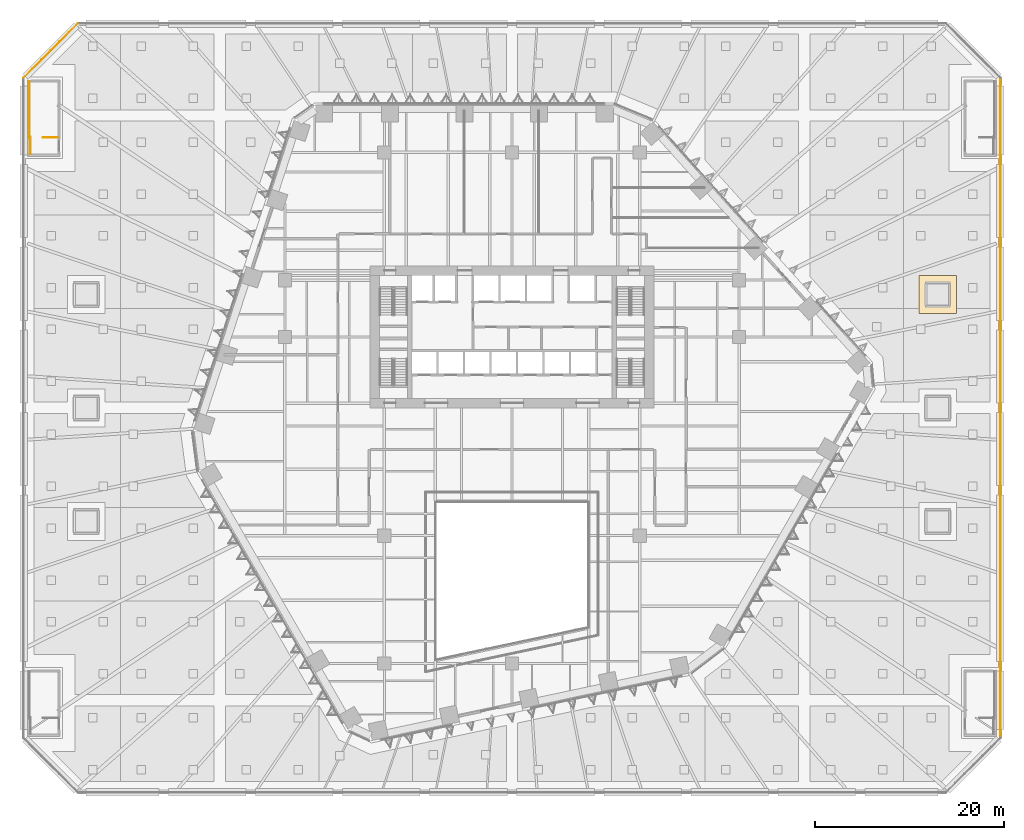
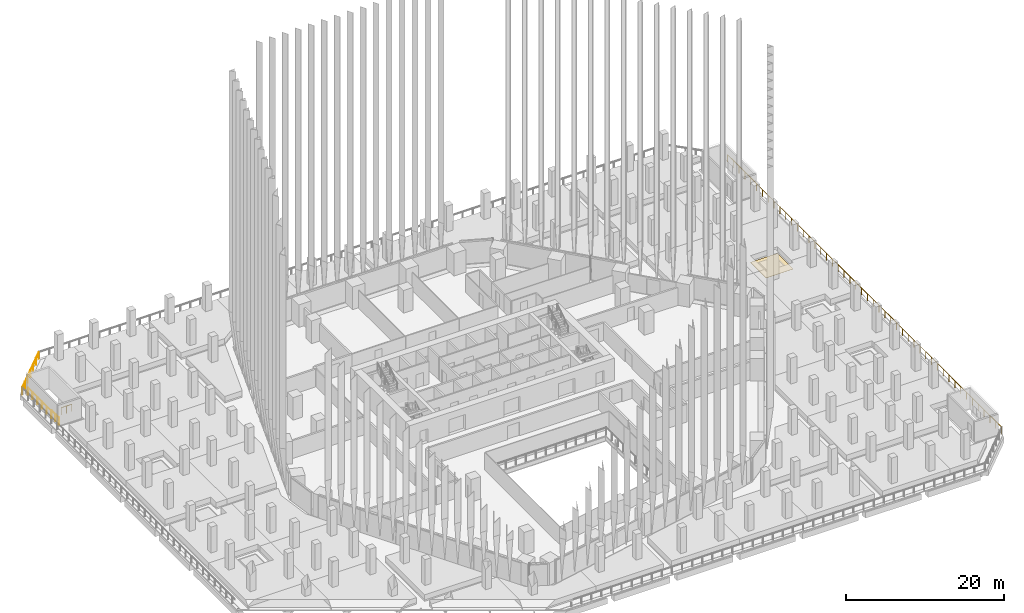
# One storey, part 43 of 51: 5 railings, 1 covering.
"""IFC4 building model written with IfcOpenShell, lengths in metres."""

from ifc_helpers import new_model, si_unit, direction, frame, origin, origin_2d, place, context, subcontext, project, spatial, polyline, circle, outline, extrude, material, layer, layer_set, type_object, element, save


model = new_model("IFC4")

# Units and contexts
model_context = context("Model", 3, precision=1e-05, world=origin(), true_north=direction((0.0, 1.0)))
body_context = subcontext(model_context, "Body", "Model", "MODEL_VIEW")
ifc_project = project(units=[si_unit("LENGTHUNIT", "METRE"), si_unit("AREAUNIT", "SQUARE_METRE"), si_unit("VOLUMEUNIT", "CUBIC_METRE"), si_unit("PLANEANGLEUNIT", "RADIAN"), si_unit("MASSUNIT", "GRAM", prefix="KILO")], contexts=[model_context])

# Site, building, storey
site_placement = place(None, origin())
site = spatial("IfcSite", under=ifc_project, at=site_placement, CompositionType="ELEMENT")
building_placement = place(site_placement, origin())
building = spatial("IfcBuilding", under=site, at=building_placement, Name="Isthmus Gate Tower", CompositionType="ELEMENT")
storey_placement = place(building_placement, frame((0.0, 0.0, 36.0)))
storey = spatial("IfcBuildingStorey", under=building, at=storey_placement, Name="L06", CompositionType="ELEMENT", Elevation=36.0)

# Railings
ifc_material_1 = material(Name="Stainless steel posts and toughened laminated glass", Category="steel")
railing_type_1 = type_object("IfcRailingType", Name="GUARD 1100 TERRACE GLASS", PredefinedType="GUARDRAIL", material=ifc_material_1)
railing_1_placement = place(storey_placement, frame((-51.607666015625, 34.8974609375, 0.0)))
element("IfcRailing", 1, at=railing_1_placement, inside=storey, type_object=railing_type_1, Name="TERRACE GUARD", PredefinedType="GUARDRAIL", context=body_context, shape_type="SweptSolid", body=[
    extrude(circle(Radius=0.02490234375, at=origin_2d()), frame((0.0, 0.0, 1.0751953125), z_axis=(0.707106781187, 0.707106781187, 0.0), x_axis=(-0.707106781187, 0.707106781187, 0.0)), (0.0, 0.0, 1.0), 8.075439453125),
    extrude(circle(Radius=0.02490234375, at=origin_2d()), origin(), (0.0, 0.0, 1.0), 1.050048828125),
    extrude(circle(Radius=0.02490234375, at=origin_2d()), frame((0.95166015625, 0.95166015625, 0.0)), (0.0, 0.0, 1.0), 1.050048828125),
    extrude(circle(Radius=0.02490234375, at=origin_2d()), frame((1.9033203125, 1.9033203125, 0.0)), (0.0, 0.0, 1.0), 1.050048828125),
    extrude(circle(Radius=0.02490234375, at=origin_2d()), frame((2.85498046875, 2.85498046875, 0.0)), (0.0, 0.0, 1.0), 1.050048828125),
    extrude(circle(Radius=0.02490234375, at=origin_2d()), frame((3.806884765625, 3.806884765625, 0.0)), (0.0, 0.0, 1.0), 1.050048828125),
    extrude(circle(Radius=0.02490234375, at=origin_2d()), frame((4.758544921875, 4.758544921875, 0.0)), (0.0, 0.0, 1.0), 1.050048828125),
    extrude(circle(Radius=0.02490234375, at=origin_2d()), frame((5.710205078125, 5.710205078125, 0.0)), (0.0, 0.0, 1.0), 1.050048828125),
])
railing_2_placement = place(storey_placement, frame((51.64990234375, 34.794921875, 0.0)))
element("IfcRailing", 2, at=railing_2_placement, inside=storey, type_object=railing_type_1, Name="TERRACE GUARD", PredefinedType="GUARDRAIL", context=body_context, shape_type="SweptSolid", body=[
    extrude(circle(Radius=0.02490234375, at=origin_2d()), frame((0.0, 0.0, 1.0751953125), z_axis=(0.0, -1.0, 0.0), x_axis=(1.0, 0.0, 0.0)), (0.0, 0.0, 1.0), 69.58984375),
    extrude(circle(Radius=0.02490234375, at=origin_2d()), origin(), (0.0, 0.0, 1.0), 1.050048828125),
    extrude(circle(Radius=0.02490234375, at=origin_2d()), frame((0.0, -1.480712890625, 0.0)), (0.0, 0.0, 1.0), 1.050048828125),
    extrude(circle(Radius=0.02490234375, at=origin_2d()), frame((0.0, -2.961181640625, 0.0)), (0.0, 0.0, 1.0), 1.050048828125),
    extrude(circle(Radius=0.02490234375, at=origin_2d()), frame((0.0, -4.44189453125, 0.0)), (0.0, 0.0, 1.0), 1.050048828125),
    extrude(circle(Radius=0.02490234375, at=origin_2d()), frame((0.0, -5.922607421875, 0.0)), (0.0, 0.0, 1.0), 1.050048828125),
    extrude(circle(Radius=0.02490234375, at=origin_2d()), frame((0.0, -7.403076171875, 0.0)), (0.0, 0.0, 1.0), 1.050048828125),
    extrude(circle(Radius=0.02490234375, at=origin_2d()), frame((0.0, -8.8837890625, 0.0)), (0.0, 0.0, 1.0), 1.050048828125),
    extrude(circle(Radius=0.02490234375, at=origin_2d()), frame((0.0, -10.364501953125, 0.0)), (0.0, 0.0, 1.0), 1.050048828125),
    extrude(circle(Radius=0.02490234375, at=origin_2d()), frame((0.0, -11.844970703125, 0.0)), (0.0, 0.0, 1.0), 1.050048828125),
    extrude(circle(Radius=0.02490234375, at=origin_2d()), frame((0.0, -13.32568359375, 0.0)), (0.0, 0.0, 1.0), 1.050048828125),
    extrude(circle(Radius=0.02490234375, at=origin_2d()), frame((0.0, -14.806396484375, 0.0)), (0.0, 0.0, 1.0), 1.050048828125),
    extrude(circle(Radius=0.02490234375, at=origin_2d()), frame((0.0, -16.286865234375, 0.0)), (0.0, 0.0, 1.0), 1.050048828125),
    extrude(circle(Radius=0.02490234375, at=origin_2d()), frame((0.0, -17.767578125, 0.0)), (0.0, 0.0, 1.0), 1.050048828125),
    extrude(circle(Radius=0.02490234375, at=origin_2d()), frame((0.0, -19.248291015625, 0.0)), (0.0, 0.0, 1.0), 1.050048828125),
    extrude(circle(Radius=0.02490234375, at=origin_2d()), frame((0.0, -20.72900390625, 0.0)), (0.0, 0.0, 1.0), 1.050048828125),
    extrude(circle(Radius=0.02490234375, at=origin_2d()), frame((0.0, -22.20947265625, 0.0)), (0.0, 0.0, 1.0), 1.050048828125),
    extrude(circle(Radius=0.02490234375, at=origin_2d()), frame((0.0, -23.690185546875, 0.0)), (0.0, 0.0, 1.0), 1.050048828125),
    extrude(circle(Radius=0.02490234375, at=origin_2d()), frame((0.0, -25.1708984375, 0.0)), (0.0, 0.0, 1.0), 1.050048828125),
    extrude(circle(Radius=0.02490234375, at=origin_2d()), frame((0.0, -26.6513671875, 0.0)), (0.0, 0.0, 1.0), 1.050048828125),
    extrude(circle(Radius=0.02490234375, at=origin_2d()), frame((0.0, -28.132080078125, 0.0)), (0.0, 0.0, 1.0), 1.050048828125),
    extrude(circle(Radius=0.02490234375, at=origin_2d()), frame((0.0, -29.61279296875, 0.0)), (0.0, 0.0, 1.0), 1.050048828125),
    extrude(circle(Radius=0.02490234375, at=origin_2d()), frame((0.0, -31.09326171875, 0.0)), (0.0, 0.0, 1.0), 1.050048828125),
    extrude(circle(Radius=0.02490234375, at=origin_2d()), frame((0.0, -32.573974609375, 0.0)), (0.0, 0.0, 1.0), 1.050048828125),
    extrude(circle(Radius=0.02490234375, at=origin_2d()), frame((0.0, -34.0546875, 0.0)), (0.0, 0.0, 1.0), 1.050048828125),
    extrude(circle(Radius=0.02490234375, at=origin_2d()), frame((0.0, -35.53515625, 0.0)), (0.0, 0.0, 1.0), 1.050048828125),
    extrude(circle(Radius=0.02490234375, at=origin_2d()), frame((0.0, -37.015869140625, 0.0)), (0.0, 0.0, 1.0), 1.050048828125),
    extrude(circle(Radius=0.02490234375, at=origin_2d()), frame((0.0, -38.49658203125, 0.0)), (0.0, 0.0, 1.0), 1.050048828125),
    extrude(circle(Radius=0.02490234375, at=origin_2d()), frame((0.0, -39.97705078125, 0.0)), (0.0, 0.0, 1.0), 1.050048828125),
    extrude(circle(Radius=0.02490234375, at=origin_2d()), frame((0.0, -41.457763671875, 0.0)), (0.0, 0.0, 1.0), 1.050048828125),
    extrude(circle(Radius=0.02490234375, at=origin_2d()), frame((0.0, -42.9384765625, 0.0)), (0.0, 0.0, 1.0), 1.050048828125),
    extrude(circle(Radius=0.02490234375, at=origin_2d()), frame((0.0, -44.4189453125, 0.0)), (0.0, 0.0, 1.0), 1.050048828125),
    extrude(circle(Radius=0.02490234375, at=origin_2d()), frame((0.0, -45.899658203125, 0.0)), (0.0, 0.0, 1.0), 1.050048828125),
    extrude(circle(Radius=0.02490234375, at=origin_2d()), frame((0.0, -47.38037109375, 0.0)), (0.0, 0.0, 1.0), 1.050048828125),
    extrude(circle(Radius=0.02490234375, at=origin_2d()), frame((0.0, -48.86083984375, 0.0)), (0.0, 0.0, 1.0), 1.050048828125),
    extrude(circle(Radius=0.02490234375, at=origin_2d()), frame((0.0, -50.341552734375, 0.0)), (0.0, 0.0, 1.0), 1.050048828125),
    extrude(circle(Radius=0.02490234375, at=origin_2d()), frame((0.0, -51.822265625, 0.0)), (0.0, 0.0, 1.0), 1.050048828125),
    extrude(circle(Radius=0.02490234375, at=origin_2d()), frame((0.0, -53.302978515625, 0.0)), (0.0, 0.0, 1.0), 1.050048828125),
    extrude(circle(Radius=0.02490234375, at=origin_2d()), frame((0.0, -54.783447265625, 0.0)), (0.0, 0.0, 1.0), 1.050048828125),
    extrude(circle(Radius=0.02490234375, at=origin_2d()), frame((0.0, -56.26416015625, 0.0)), (0.0, 0.0, 1.0), 1.050048828125),
    extrude(circle(Radius=0.02490234375, at=origin_2d()), frame((0.0, -57.744873046875, 0.0)), (0.0, 0.0, 1.0), 1.050048828125),
    extrude(circle(Radius=0.02490234375, at=origin_2d()), frame((0.0, -59.225341796875, 0.0)), (0.0, 0.0, 1.0), 1.050048828125),
    extrude(circle(Radius=0.02490234375, at=origin_2d()), frame((0.0, -60.7060546875, 0.0)), (0.0, 0.0, 1.0), 1.050048828125),
    extrude(circle(Radius=0.02490234375, at=origin_2d()), frame((0.0, -62.186767578125, 0.0)), (0.0, 0.0, 1.0), 1.050048828125),
    extrude(circle(Radius=0.02490234375, at=origin_2d()), frame((0.0, -63.667236328125, 0.0)), (0.0, 0.0, 1.0), 1.050048828125),
    extrude(circle(Radius=0.02490234375, at=origin_2d()), frame((0.0, -65.14794921875, 0.0)), (0.0, 0.0, 1.0), 1.050048828125),
    extrude(circle(Radius=0.02490234375, at=origin_2d()), frame((0.0, -66.628662109375, 0.0)), (0.0, 0.0, 1.0), 1.050048828125),
    extrude(circle(Radius=0.02490234375, at=origin_2d()), frame((0.0, -68.109130859375, 0.0)), (0.0, 0.0, 1.0), 1.050048828125),
    extrude(circle(Radius=0.02490234375, at=origin_2d()), frame((0.0, -69.58984375, 0.0)), (0.0, 0.0, 1.0), 1.050048828125),
])
ifc_material_2 = material(Name="Painted steel balusters with timber handrail", Category="steel")
railing_type_2 = type_object("IfcRailingType", Name="Podium stair guard 1100", PredefinedType="GUARDRAIL", material=ifc_material_2)
railing_3_placement = place(storey_placement, frame((-48.0, 28.574951171875, 0.0)))
element("IfcRailing", 3, at=railing_3_placement, inside=storey, type_object=railing_type_2, Name="L06 ST6 top well guard 1", PredefinedType="GUARDRAIL", context=body_context, shape_type="SweptSolid", body=[
    extrude(circle(Radius=0.02392578125, at=origin_2d()), frame((0.0, 0.0, 1.076171875), z_axis=(-1.0, 0.0, 0.0), x_axis=(0.0, -1.0, 0.0)), (0.0, 0.0, 1.0), 1.550048828125),
    extrude(circle(Radius=0.02099609375, at=origin_2d()), origin(), (0.0, 0.0, 1.0), 1.052001953125),
    extrude(circle(Radius=0.02099609375, at=origin_2d()), frame((-0.77490234375, 0.0, 0.0)), (0.0, 0.0, 1.0), 1.052001953125),
    extrude(circle(Radius=0.02099609375, at=origin_2d()), frame((-1.550048828125, 0.0, 0.0)), (0.0, 0.0, 1.0), 1.052001953125),
])
railing_4_placement = place(storey_placement, frame((-51.0, 28.52490234375, 0.0)))
element("IfcRailing", 4, at=railing_4_placement, inside=storey, type_object=railing_type_2, Name="L06 ST6 top well guard 2", PredefinedType="GUARDRAIL", context=body_context, shape_type="SweptSolid", body=[
    extrude(circle(Radius=0.02392578125, at=origin_2d()), frame((0.0, 0.0, 1.076171875), z_axis=(0.0, 1.0, 0.0), x_axis=(-1.0, 0.0, 0.0)), (0.0, 0.0, 1.0), 6.0),
    extrude(circle(Radius=0.02099609375, at=origin_2d()), origin(), (0.0, 0.0, 1.0), 1.052001953125),
    extrude(circle(Radius=0.02099609375, at=origin_2d()), frame((0.0, 1.199951171875, 0.0)), (0.0, 0.0, 1.0), 1.052001953125),
    extrude(circle(Radius=0.02099609375, at=origin_2d()), frame((0.0, 2.39990234375, 0.0)), (0.0, 0.0, 1.0), 1.052001953125),
    extrude(circle(Radius=0.02099609375, at=origin_2d()), frame((0.0, 3.60009765625, 0.0)), (0.0, 0.0, 1.0), 1.052001953125),
    extrude(circle(Radius=0.02099609375, at=origin_2d()), frame((0.0, 4.800048828125, 0.0)), (0.0, 0.0, 1.0), 1.052001953125),
    extrude(circle(Radius=0.02099609375, at=origin_2d()), frame((0.0, 6.0, 0.0)), (0.0, 0.0, 1.0), 1.052001953125),
])
railing_5_placement = place(storey_placement, frame((-50.89990234375, 26.824951171875, 0.0)))
element("IfcRailing", 5, at=railing_5_placement, inside=storey, type_object=railing_type_2, Name="L06 ST6 top well guard 3", PredefinedType="GUARDRAIL", context=body_context, shape_type="SweptSolid", body=[
    extrude(circle(Radius=0.02392578125, at=origin_2d()), frame((0.0, 0.0, 1.076171875), z_axis=(0.0, 1.0, 0.0), x_axis=(-1.0, 0.0, 0.0)), (0.0, 0.0, 1.0), 1.800048828125),
    extrude(circle(Radius=0.02099609375, at=origin_2d()), origin(), (0.0, 0.0, 1.0), 1.052001953125),
    extrude(circle(Radius=0.02099609375, at=origin_2d()), frame((0.0, 0.89990234375, 0.0)), (0.0, 0.0, 1.0), 1.052001953125),
    extrude(circle(Radius=0.02099609375, at=origin_2d()), frame((0.0, 1.800048828125, 0.0)), (0.0, 0.0, 1.0), 1.052001953125),
])

# Covering
ifc_material_3 = material(Name="Granite paving slabs on pedestals", Category="masonry")
ifc_layer = layer(ifc_material_3, 0.0400390625)
ifc_layer_set = layer_set([ifc_layer], Name="TERRACE PAVING 40")
covering_type = type_object("IfcCoveringType", Name="TERRACE PAVING 40", PredefinedType="FLOORING", material=ifc_layer_set)
covering_placement = place(storey_placement, origin())
element("IfcCovering", 6, at=covering_placement, inside=storey, type_object=covering_type, Name="TERRACE PAVING", PredefinedType="FLOORING", context=body_context, shape_type="SweptSolid", body=[
    extrude(outline(polyline([(47.0, 10.0), (43.0, 10.0), (43.0, 10.5), (43.0, 14.0), (47.0, 14.0), (47.0, 10.5), (47.0, 10.0)])), origin(), (0.0, 0.0, 1.0), 0.0400390625),
])

save(model, "model.ifc")
